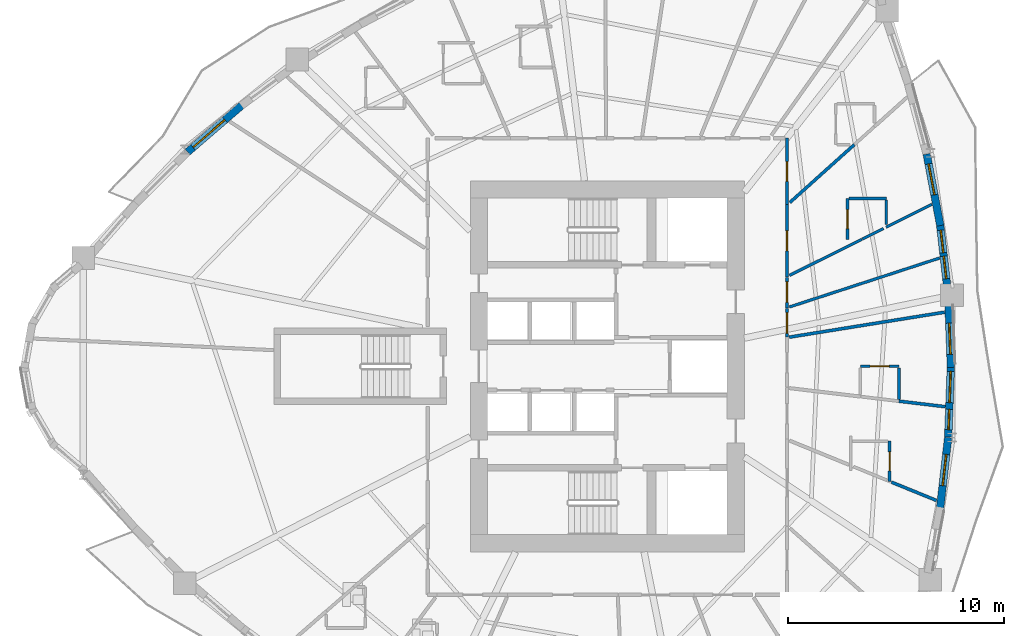
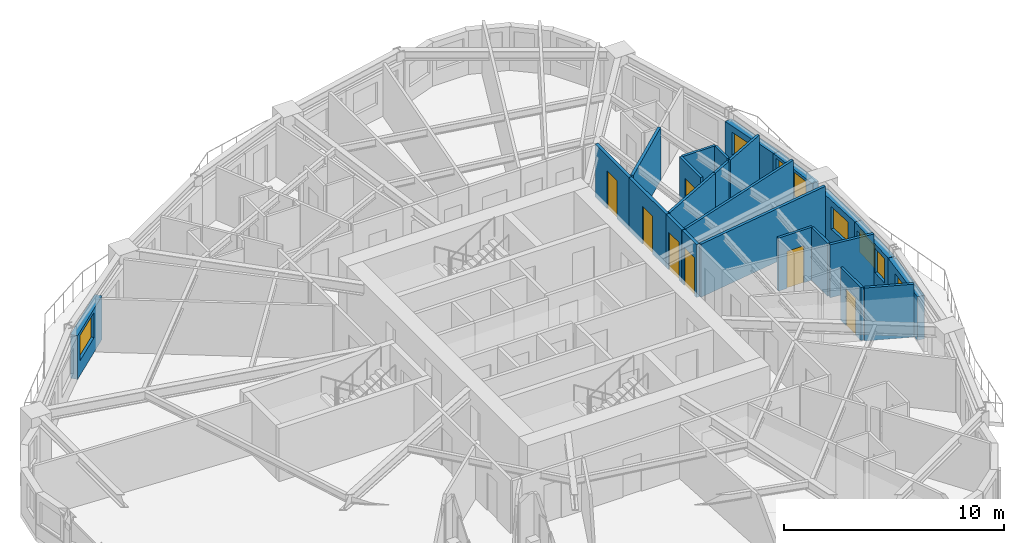
# One storey, part 7 of 14: 24 walls, 8 windows, 7 doors, 15 openings.
"""IFC4 building model written with IfcOpenShell, lengths in metres."""

from ifc_helpers import new_model, si_unit, direction, frame, frame_2d, origin, place, context, subcontext, project, spatial, rectangle, extrude, source, transform, mapped, material, layer, layer_set, type_object, element, fill, save


model = new_model("IFC4")

# Units and contexts
model_context = context("Model", 3, precision=1e-05, world=origin(), true_north=direction((0.0, 1.0)))
body_context = subcontext(model_context, "Body", "Model", "MODEL_VIEW")
ifc_project = project(units=[si_unit("LENGTHUNIT", "METRE"), si_unit("AREAUNIT", "SQUARE_METRE"), si_unit("VOLUMEUNIT", "CUBIC_METRE"), si_unit("PLANEANGLEUNIT", "RADIAN"), si_unit("MASSUNIT", "GRAM", prefix="KILO")], contexts=[model_context])

# Site, building, storey
site_placement = place(None, origin())
site = spatial("IfcSite", under=ifc_project, at=site_placement, CompositionType="ELEMENT")
building_placement = place(site_placement, origin())
building = spatial("IfcBuilding", under=site, at=building_placement, Name="Qafzar Sky-Pleat Residences", CompositionType="ELEMENT")
storey_placement = place(building_placement, frame((0.0, 0.0, 39.800048828125)))
storey = spatial("IfcBuildingStorey", under=building, at=storey_placement, Name="L11", CompositionType="ELEMENT", Elevation=39.800048828125)

# Wall, opening, door
ifc_material_1 = material(Name="Acoustic gypsum plasterboard partition", Category="gypsum")
ifc_layer_1 = layer(ifc_material_1, 0.159912109375)
ifc_layer_set_1 = layer_set([ifc_layer_1], Name="Acoustic gypsum plasterboard partition")
wall_type_1 = type_object("IfcWallType", Name="PART-COR-160", PredefinedType="PARTITIONING", material=ifc_layer_set_1)
wall_1_placement = place(storey_placement, frame((38.679931640625, 33.49609375, 0.0), z_axis=(0.0, 0.0, 1.0), x_axis=(0.0, -1.0, 0.0)))
wall_1 = element("IfcWall", 1, at=wall_1_placement, inside=storey, type_object=wall_type_1, Name="L11 Partition Wall PART-L11-PW-007", PredefinedType="PARTITIONING", context=body_context, shape_type="SweptSolid", body=[
    extrude(rectangle(XDim=3.35498046875, YDim=0.159912109375, at=frame_2d((1.677490234375, 0.0))), origin(), (0.0, 0.0, 1.0), 2.93994140625),
])
opening_1_placement = place(wall_1_placement, frame((1.218994140625, 0.0, 0.0)))
opening_1 = element("IfcOpeningElement", 2, at=opening_1_placement, cuts=wall_1, Name="Opening ID-04", PredefinedType="OPENING", context=body_context, shape_type="SweptSolid", body=[
    extrude(rectangle(XDim=0.919921875, YDim=2.10009765625, at=frame_2d((0.4599609375, 1.050048828125))), frame((0.0, 0.08984375, 0.0), z_axis=(0.0, -1.0, 0.0), x_axis=(1.0, 0.0, 0.0)), (0.0, 0.0, 1.0), 0.179931640625),
])
ifc_material_2 = material(Name="Timber-faced fire door", Category="wood")
door_type_1 = type_object("IfcDoorType", Name="DR-BED-920", OperationType="NOTDEFINED", PredefinedType="DOOR", material=ifc_material_2)
shared_shape_1 = source(origin(), body_context, "Body", "SweptSolid", [
    extrude(rectangle(XDim=0.919921875, YDim=2.10009765625, at=frame_2d((0.4599609375, 1.050048828125))), frame((0.0, 0.02490234375, 0.0), z_axis=(0.0, -1.0, 0.0), x_axis=(1.0, 0.0, 0.0)), (0.0, 0.0, 1.0), 0.050048828125),
])
door_1_placement = place(opening_1_placement, origin())
door_1 = element("IfcDoor", 3, at=door_1_placement, inside=storey, type_object=door_type_1, Name="L11 Co-Living Bedroom 8 Door", OperationType="SINGLE_SWING_LEFT", OverallHeight=2.10009765625, OverallWidth=0.919921875, PredefinedType="DOOR", context=body_context, shape_type="MappedRepresentation", body=[
    mapped(shared_shape_1, transform((0.0, 0.0, 0.0), x_axis=(1.0, 0.0, 0.0), y_axis=(0.0, 1.0, 0.0), z_axis=(0.0, 0.0, 1.0), scale=1.0)),
])
fill(opening_1, door_1)

wall_2_placement = place(storey_placement, frame((38.679931640625, 36.580078125, 0.0), z_axis=(0.0, 0.0, 1.0), x_axis=(0.0, -1.0, 0.0)))
wall_2 = element("IfcWall", 4, at=wall_2_placement, inside=storey, type_object=wall_type_1, Name="L11 Partition Wall PART-L11-PW-011", PredefinedType="PARTITIONING", context=body_context, shape_type="SweptSolid", body=[
    extrude(rectangle(XDim=3.069091796875, YDim=0.159912109375, at=frame_2d((1.53466796875, 0.0))), origin(), (0.0, 0.0, 1.0), 2.93994140625),
])
opening_2_placement = place(wall_2_placement, frame((1.092041015625, 0.0, 0.0)))
opening_2 = element("IfcOpeningElement", 5, at=opening_2_placement, cuts=wall_2, Name="Opening ID-04", PredefinedType="OPENING", context=body_context, shape_type="SweptSolid", body=[
    extrude(rectangle(XDim=0.919921875, YDim=2.10009765625, at=frame_2d((0.4599609375, 1.050048828125))), frame((0.0, 0.08984375, 0.0), z_axis=(0.0, -1.0, 0.0), x_axis=(1.0, 0.0, 0.0)), (0.0, 0.0, 1.0), 0.179931640625),
])
door_2_placement = place(opening_2_placement, origin())
door_2 = element("IfcDoor", 6, at=door_2_placement, inside=storey, type_object=door_type_1, Name="L11 Co-Living Bedroom 7 Door", OperationType="SINGLE_SWING_LEFT", OverallHeight=2.10009765625, OverallWidth=0.919921875, PredefinedType="DOOR", context=body_context, shape_type="MappedRepresentation", body=[
    mapped(shared_shape_1, transform((0.0, 0.0, 0.0), x_axis=(1.0, 0.0, 0.0), y_axis=(0.0, 1.0, 0.0), z_axis=(0.0, 0.0, 1.0), scale=1.0)),
])
fill(opening_2, door_2)

wall_3_placement = place(storey_placement, frame((38.679931640625, 30.1259765625, 0.0), z_axis=(0.0, 0.0, 1.0), x_axis=(0.0, -1.0, 0.0)))
wall_3 = element("IfcWall", 7, at=wall_3_placement, inside=storey, type_object=wall_type_1, Name="L11 Partition Wall PART-L11-PW-033", PredefinedType="PARTITIONING", context=body_context, shape_type="SweptSolid", body=[
    extrude(rectangle(XDim=1.426025390625, YDim=0.159912109375, at=frame_2d((0.712890625, 0.0))), origin(), (0.0, 0.0, 1.0), 2.93994140625),
])
opening_3_placement = place(wall_3_placement, frame((0.214111328125, 0.0, 0.0)))
opening_3 = element("IfcOpeningElement", 8, at=opening_3_placement, cuts=wall_3, Name="Opening ID-08", PredefinedType="OPENING", context=body_context, shape_type="SweptSolid", body=[
    extrude(rectangle(XDim=0.949951171875, YDim=2.10009765625, at=frame_2d((0.47509765625, 1.050048828125))), frame((0.0, 0.08984375, 0.0), z_axis=(0.0, -1.0, 0.0), x_axis=(1.0, 0.0, 0.0)), (0.0, 0.0, 1.0), 0.179931640625),
])
door_type_2 = type_object("IfcDoorType", Name="DR-AWC-950", OperationType="NOTDEFINED", PredefinedType="DOOR", material=ifc_material_2)
shared_shape_2 = source(origin(), body_context, "Body", "SweptSolid", [
    extrude(rectangle(XDim=0.949951171875, YDim=2.10009765625, at=frame_2d((0.47509765625, 1.050048828125))), frame((0.0, 0.02490234375, 0.0), z_axis=(0.0, -1.0, 0.0), x_axis=(1.0, 0.0, 0.0)), (0.0, 0.0, 1.0), 0.050048828125),
])
door_3_placement = place(opening_3_placement, origin())
door_3 = element("IfcDoor", 9, at=door_3_placement, inside=storey, type_object=door_type_2, Name="L11 Accessible Shared Washroom Door", OperationType="SINGLE_SWING_RIGHT", OverallHeight=2.10009765625, OverallWidth=0.949951171875, PredefinedType="DOOR", context=body_context, shape_type="MappedRepresentation", body=[
    mapped(shared_shape_2, transform((0.0, 0.0, 0.0), x_axis=(1.0, 0.0, 0.0), y_axis=(0.0, 1.0, 0.0), z_axis=(0.0, 0.0, 1.0), scale=1.0)),
])
fill(opening_3, door_3)

wall_4_placement = place(storey_placement, frame((38.679931640625, 28.68505859375, 0.0), z_axis=(0.0, 0.0, 1.0), x_axis=(0.0, -1.0, 0.0)))
wall_4 = element("IfcWall", 10, at=wall_4_placement, inside=storey, type_object=wall_type_1, Name="L11 Partition Wall PART-L11-PW-035", PredefinedType="PARTITIONING", context=body_context, shape_type="SweptSolid", body=[
    extrude(rectangle(XDim=1.317138671875, YDim=0.159912109375, at=frame_2d((0.65869140625, 0.0))), origin(), (0.0, 0.0, 1.0), 2.93994140625),
])
opening_4_placement = place(wall_4_placement, frame((0.1962890625, 0.0, 0.0)))
opening_4 = element("IfcOpeningElement", 11, at=opening_4_placement, cuts=wall_4, Name="Opening ID-06", PredefinedType="OPENING", context=body_context, shape_type="SweptSolid", body=[
    extrude(rectangle(XDim=0.9599609375, YDim=2.10009765625, at=frame_2d((0.47998046875, 1.050048828125))), frame((0.0, 0.08984375, 0.0), z_axis=(0.0, -1.0, 0.0), x_axis=(1.0, 0.0, 0.0)), (0.0, 0.0, 1.0), 0.179931640625),
])
door_type_3 = type_object("IfcDoorType", Name="DR-STD-960", OperationType="NOTDEFINED", PredefinedType="DOOR", material=ifc_material_2)
shared_shape_3 = source(origin(), body_context, "Body", "SweptSolid", [
    extrude(rectangle(XDim=0.9599609375, YDim=2.10009765625, at=frame_2d((0.47998046875, 1.050048828125))), frame((0.0, 0.02490234375, 0.0), z_axis=(0.0, -1.0, 0.0), x_axis=(1.0, 0.0, 0.0)), (0.0, 0.0, 1.0), 0.050048828125),
])
door_4_placement = place(opening_4_placement, origin())
door_4 = element("IfcDoor", 12, at=door_4_placement, inside=storey, type_object=door_type_3, Name="L11 Scholar Study Room Door", OperationType="SINGLE_SWING_RIGHT", OverallHeight=2.10009765625, OverallWidth=0.9599609375, PredefinedType="DOOR", context=body_context, shape_type="MappedRepresentation", body=[
    mapped(shared_shape_3, transform((0.0, 0.0, 0.0), x_axis=(1.0, 0.0, 0.0), y_axis=(0.0, 1.0, 0.0), z_axis=(0.0, 0.0, 1.0), scale=1.0)),
])
fill(opening_4, door_4)

# Walls
ifc_layer_2 = layer(ifc_material_1, 0.14501953125)
ifc_layer_set_2 = layer_set([ifc_layer_2], Name="Acoustic gypsum plasterboard partition")
wall_type_2 = type_object("IfcWallType", Name="PART-UNIT-145", PredefinedType="PARTITIONING", material=ifc_layer_set_2)
wall_5_placement = place(storey_placement, frame((38.779296875, 27.35302734375, 0.0), z_axis=(0.0, 0.0, 1.0), x_axis=(0.987345710334, 0.158582622897, 0.0)))
element("IfcWall", 13, at=wall_5_placement, inside=storey, type_object=wall_type_2, Name="L11 Partition Wall PART-L11-PW-048", PredefinedType="PARTITIONING", context=body_context, shape_type="SweptSolid", body=[
    extrude(rectangle(XDim=7.30029296875, YDim=0.14501953125, at=frame_2d((3.650146484375, 0.0))), origin(), (0.0, 0.0, 1.0), 2.93994140625),
])
wall_6_placement = place(storey_placement, frame((38.814453125, 33.5966796875, 0.0), z_axis=(0.0, 0.0, 1.0), x_axis=(0.74417856937, 0.667980730927, 0.0)))
element("IfcWall", 14, at=wall_6_placement, inside=storey, type_object=wall_type_2, Name="L11 Partition Wall PART-L11-PW-053", PredefinedType="PARTITIONING", context=body_context, shape_type="SweptSolid", body=[
    extrude(rectangle(XDim=4.005126953125, YDim=0.14501953125, at=frame_2d((2.00244140625, 0.0))), origin(), (0.0, 0.0, 1.0), 2.93994140625),
])
wall_7_placement = place(storey_placement, frame((43.516845703125, 20.636474609375, 0.0), z_axis=(0.0, 0.0, 1.0), x_axis=(0.926053250015, -0.377392869747, 0.0)))
element("IfcWall", 15, at=wall_7_placement, inside=storey, type_object=wall_type_2, Name="L11 Partition Wall PART-L11-PW-065", PredefinedType="PARTITIONING", context=body_context, shape_type="SweptSolid", body=[
    extrude(rectangle(XDim=2.26220703125, YDim=0.14501953125, at=frame_2d((1.131103515625, 0.0))), origin(), (0.0, 0.0, 1.0), 2.93994140625),
])
wall_8_placement = place(storey_placement, frame((43.861083984375, 24.387939453125, 0.0), z_axis=(0.0, 0.0, 1.0), x_axis=(0.992948573357, -0.118545901105, 0.0)))
element("IfcWall", 16, at=wall_8_placement, inside=storey, type_object=wall_type_2, Name="L11 Partition Wall PART-L11-PW-067", PredefinedType="PARTITIONING", context=body_context, shape_type="SweptSolid", body=[
    extrude(rectangle(XDim=2.168701171875, YDim=0.14501953125, at=frame_2d((1.08447265625, 0.0))), origin(), (0.0, 0.0, 1.0), 2.93994140625),
])

# Wall, opening, door
ifc_material_3 = material(Name="Moisture-resistant gypsum partition", Category="gypsum")
ifc_layer_3 = layer(ifc_material_3, 0.1298828125)
ifc_layer_set_3 = layer_set([ifc_layer_3], Name="Moisture-resistant gypsum partition")
wall_type_3 = type_object("IfcWallType", Name="PART-WET-130", PredefinedType="PARTITIONING", material=ifc_layer_set_3)
wall_9_placement = place(storey_placement, frame((41.48193359375, 33.777099609375, 0.0), z_axis=(0.0, 0.0, 1.0), x_axis=(0.0, -1.0, 0.0)))
wall_9 = element("IfcWall", 17, at=wall_9_placement, inside=storey, type_object=wall_type_3, Name="L11 Partition Wall PART-L11-PW-020", PredefinedType="PARTITIONING", context=body_context, shape_type="SweptSolid", body=[
    extrude(rectangle(XDim=1.900146484375, YDim=0.1298828125, at=frame_2d((0.9501953125, 0.0))), origin(), (0.0, 0.0, 1.0), 2.93994140625),
])
opening_5_placement = place(wall_9_placement, frame((0.510009765625, 0.0, 0.0)))
opening_5 = element("IfcOpeningElement", 18, at=opening_5_placement, cuts=wall_9, Name="Opening ID-07", PredefinedType="OPENING", context=body_context, shape_type="SweptSolid", body=[
    extrude(rectangle(XDim=0.8798828125, YDim=2.050048828125, at=frame_2d((0.43994140625, 1.02490234375))), frame((0.0, 0.074951171875, 0.0), z_axis=(0.0, -1.0, 0.0), x_axis=(1.0, 0.0, 0.0)), (0.0, 0.0, 1.0), 0.14990234375),
])
door_type_4 = type_object("IfcDoorType", Name="DR-WET-880", OperationType="NOTDEFINED", PredefinedType="DOOR", material=ifc_material_2)
shared_shape_4 = source(origin(), body_context, "Body", "SweptSolid", [
    extrude(rectangle(XDim=0.8798828125, YDim=2.050048828125, at=frame_2d((0.43994140625, 1.02490234375))), frame((0.0, 0.02490234375, 0.0), z_axis=(0.0, -1.0, 0.0), x_axis=(1.0, 0.0, 0.0)), (0.0, 0.0, 1.0), 0.050048828125),
])
door_5_placement = place(opening_5_placement, origin())
door_5 = element("IfcDoor", 19, at=door_5_placement, inside=storey, type_object=door_type_4, Name="L11 En-suite Bathroom 8 Door", OperationType="SINGLE_SWING_LEFT", OverallHeight=2.050048828125, OverallWidth=0.8798828125, PredefinedType="DOOR", context=body_context, shape_type="MappedRepresentation", body=[
    mapped(shared_shape_4, transform((0.0, 0.0, 0.0), x_axis=(1.0, 0.0, 0.0), y_axis=(0.0, 1.0, 0.0), z_axis=(0.0, 0.0, 1.0), scale=1.0)),
])
fill(opening_5, door_5)

wall_10_placement = place(storey_placement, frame((43.431884765625, 20.6708984375, 0.0), z_axis=(0.0, 0.0, 1.0), x_axis=(0.0, 1.0, 0.0)))
wall_10 = element("IfcWall", 20, at=wall_10_placement, inside=storey, type_object=wall_type_3, Name="L11 Partition Wall PART-L11-PW-028", PredefinedType="PARTITIONING", context=body_context, shape_type="SweptSolid", body=[
    extrude(rectangle(XDim=1.859130859375, YDim=0.1298828125, at=frame_2d((0.9296875, 0.0))), origin(), (0.0, 0.0, 1.0), 2.93994140625),
])
opening_6_placement = place(wall_10_placement, frame((0.489501953125, 0.0, 0.0)))
opening_6 = element("IfcOpeningElement", 21, at=opening_6_placement, cuts=wall_10, Name="Opening ID-07", PredefinedType="OPENING", context=body_context, shape_type="SweptSolid", body=[
    extrude(rectangle(XDim=0.8798828125, YDim=2.050048828125, at=frame_2d((0.43994140625, 1.02490234375))), frame((0.0, 0.074951171875, 0.0), z_axis=(0.0, -1.0, 0.0), x_axis=(1.0, 0.0, 0.0)), (0.0, 0.0, 1.0), 0.14990234375),
])
door_6_placement = place(opening_6_placement, origin())
door_6 = element("IfcDoor", 22, at=door_6_placement, inside=storey, type_object=door_type_4, Name="L11 En-suite Bathroom 5 Door", OperationType="SINGLE_SWING_LEFT", OverallHeight=2.050048828125, OverallWidth=0.8798828125, PredefinedType="DOOR", context=body_context, shape_type="MappedRepresentation", body=[
    mapped(shared_shape_4, transform((0.0, 0.0, 0.0), x_axis=(1.0, 0.0, 0.0), y_axis=(0.0, 1.0, 0.0), z_axis=(0.0, 0.0, 1.0), scale=1.0)),
])
fill(opening_6, door_6)

wall_11_placement = place(storey_placement, frame((43.8759765625, 26.008056640625, 0.0), z_axis=(0.0, 0.0, 1.0), x_axis=(-1.0, 0.0, 0.0)))
wall_11 = element("IfcWall", 23, at=wall_11_placement, inside=storey, type_object=wall_type_3, Name="L11 Partition Wall PART-L11-PW-031", PredefinedType="PARTITIONING", context=body_context, shape_type="SweptSolid", body=[
    extrude(rectangle(XDim=1.800048828125, YDim=0.1298828125, at=frame_2d((0.89990234375, 0.0))), origin(), (0.0, 0.0, 1.0), 2.93994140625),
])
opening_7_placement = place(wall_11_placement, frame((0.4599609375, 0.0, 0.0)))
opening_7 = element("IfcOpeningElement", 24, at=opening_7_placement, cuts=wall_11, Name="Opening ID-07", PredefinedType="OPENING", context=body_context, shape_type="SweptSolid", body=[
    extrude(rectangle(XDim=0.8798828125, YDim=2.050048828125, at=frame_2d((0.43994140625, 1.02490234375))), frame((0.0, 0.074951171875, 0.0), z_axis=(0.0, -1.0, 0.0), x_axis=(1.0, 0.0, 0.0)), (0.0, 0.0, 1.0), 0.14990234375),
])
door_7_placement = place(opening_7_placement, origin())
door_7 = element("IfcDoor", 25, at=door_7_placement, inside=storey, type_object=door_type_4, Name="L11 En-suite Bathroom 6 Door", OperationType="SINGLE_SWING_RIGHT", OverallHeight=2.050048828125, OverallWidth=0.8798828125, PredefinedType="DOOR", context=body_context, shape_type="MappedRepresentation", body=[
    mapped(shared_shape_4, transform((0.0, 0.0, 0.0), x_axis=(1.0, 0.0, 0.0), y_axis=(0.0, 1.0, 0.0), z_axis=(0.0, 0.0, 1.0), scale=1.0)),
])
fill(opening_7, door_7)

# Walls
wall_12_placement = place(storey_placement, frame((38.787841796875, 28.751220703125, 0.0), z_axis=(0.0, 0.0, 1.0), x_axis=(0.95075822996, 0.309933522169, 0.0)))
element("IfcWall", 26, at=wall_12_placement, inside=storey, type_object=wall_type_3, Name="L11 Partition Wall PART-L11-PW-047", PredefinedType="PARTITIONING", context=body_context, shape_type="SweptSolid", body=[
    extrude(rectangle(XDim=7.327392578125, YDim=0.1298828125, at=frame_2d((3.66357421875, 0.0))), origin(), (0.0, 0.0, 1.0), 2.93994140625),
])
wall_13_placement = place(storey_placement, frame((38.796142578125, 30.216064453125, 0.0), z_axis=(0.0, 0.0, 1.0), x_axis=(0.894739227469, 0.446588977503, 0.0)))
element("IfcWall", 27, at=wall_13_placement, inside=storey, type_object=wall_type_3, Name="L11 Partition Wall PART-L11-PW-054", PredefinedType="PARTITIONING", context=body_context, shape_type="SweptSolid", body=[
    extrude(rectangle(XDim=3.7529296875, YDim=0.1298828125, at=frame_2d((1.87646484375, 0.0))), origin(), (0.0, 0.0, 1.0), 2.93994140625),
])
wall_14_placement = place(storey_placement, frame((43.26708984375, 32.447998046875, 0.0), z_axis=(0.0, 0.0, 1.0), x_axis=(0.894755827923, 0.446555717014, 0.0)))
element("IfcWall", 28, at=wall_14_placement, inside=storey, type_object=wall_type_3, Name="L11 Partition Wall PART-L11-PW-064", PredefinedType="PARTITIONING", context=body_context, shape_type="SweptSolid", body=[
    extrude(rectangle(XDim=2.37548828125, YDim=0.1298828125, at=frame_2d((1.187744140625, 0.0))), origin(), (0.0, 0.0, 1.0), 2.93994140625),
])
wall_15_placement = place(storey_placement, frame((41.554931640625, 33.777099609375, 0.0), z_axis=(0.0, 0.0, 1.0), x_axis=(1.0, 0.0, 0.0)))
element("IfcWall", 29, at=wall_15_placement, inside=storey, type_object=wall_type_3, Name="L11 Partition Wall PART-L11-PW-081", PredefinedType="PARTITIONING", context=body_context, shape_type="SweptSolid", body=[
    extrude(rectangle(XDim=1.72705078125, YDim=0.1298828125, at=frame_2d((0.863525390625, 0.0))), origin(), (0.0, 0.0, 1.0), 2.93994140625),
])
wall_16_placement = place(storey_placement, frame((43.8759765625, 24.474853515625, 0.0), z_axis=(0.0, 0.0, 1.0), x_axis=(0.0, 1.0, 0.0)))
element("IfcWall", 30, at=wall_16_placement, inside=storey, type_object=wall_type_3, Name="L11 Partition Wall PART-L11-PW-086", PredefinedType="PARTITIONING", context=body_context, shape_type="SweptSolid", body=[
    extrude(rectangle(XDim=1.460205078125, YDim=0.1298828125, at=frame_2d((0.72998046875, 0.0))), origin(), (0.0, 0.0, 1.0), 2.93994140625),
])
wall_17_placement = place(storey_placement, frame((43.281982421875, 32.568115234375, 0.0), z_axis=(0.0, 0.0, 1.0), x_axis=(0.0, 1.0, 0.0)))
element("IfcWall", 31, at=wall_17_placement, inside=storey, type_object=wall_type_3, Name="L11 Partition Wall PART-L11-PW-092", PredefinedType="PARTITIONING", context=body_context, shape_type="SweptSolid", body=[
    extrude(rectangle(XDim=1.135986328125, YDim=0.1298828125, at=frame_2d((0.56787109375, 0.0))), origin(), (0.0, 0.0, 1.0), 2.93994140625),
])
wall_18_placement = place(storey_placement, frame((42.16748046875, 31.898681640625, 0.0), z_axis=(0.0, 0.0, 1.0), x_axis=(0.894604533516, 0.446858734515, 0.0)))
element("IfcWall", 32, at=wall_18_placement, inside=storey, type_object=wall_type_3, Name="L11 Partition Wall PART-L11-PW-096", PredefinedType="PARTITIONING", context=body_context, shape_type="SweptSolid", body=[
    extrude(rectangle(XDim=1.100830078125, YDim=0.1298828125, at=frame_2d((0.55029296875, 0.0))), origin(), (0.0, 0.0, 1.0), 2.93994140625),
])

# Wall, opening, window
ifc_material_4 = material(Name="Precast concrete C40/50 with honed Riyadh limestone", Category="concrete")
ifc_layer_4 = layer(ifc_material_4, 0.35009765625)
ifc_layer_set_4 = layer_set([ifc_layer_4], Name="Precast concrete C40/50 with honed Riyadh limestone")
wall_type_4 = type_object("IfcWallType", Name="WALL-EXT-350", PredefinedType="SOLIDWALL", material=ifc_layer_set_4)
wall_19_placement = place(storey_placement, frame((45.770263671875, 19.38818359375, 0.0), z_axis=(0.0, 0.0, 1.0), x_axis=(0.113282408476, 0.993562829382, 0.0)))
wall_19 = element("IfcWall", 33, at=wall_19_placement, inside=storey, type_object=wall_type_4, Name="L11 Limestone Facade Wall 26", PredefinedType="SOLIDWALL", context=body_context, shape_type="SweptSolid", body=[
    extrude(rectangle(XDim=3.336181640625, YDim=0.35009765625, at=frame_2d((1.66796875, 0.0))), origin(), (0.0, 0.0, 1.0), 2.419921875),
])
opening_8_placement = place(wall_19_placement, frame((1.09521484375, 0.0, 0.820068359375)))
opening_8 = element("IfcOpeningElement", 34, at=opening_8_placement, cuts=wall_19, Name="Opening WN-15", PredefinedType="OPENING", context=body_context, shape_type="SweptSolid", body=[
    extrude(rectangle(XDim=1.449951171875, YDim=1.25, at=frame_2d((0.72509765625, 0.625))), frame((0.0, 0.18505859375, 0.0), z_axis=(0.0, -1.0, 0.0), x_axis=(1.0, 0.0, 0.0)), (0.0, 0.0, 1.0), 0.3701171875),
])
ifc_material_5 = material(Name="Solar-control low-E glass in bronze aluminium frame", Category="glass")
window_type_1 = type_object("IfcWindowType", Name="WIN-15", PartitioningType="SINGLE_PANEL", PredefinedType="WINDOW", material=ifc_material_5)
shared_shape_5 = source(origin(), body_context, "Body", "SweptSolid", [
    extrude(rectangle(XDim=1.449951171875, YDim=1.25, at=frame_2d((0.72509765625, 0.625))), frame((0.0, 0.030029296875, 0.0), z_axis=(0.0, -1.0, 0.0), x_axis=(1.0, 0.0, 0.0)), (0.0, 0.0, 1.0), 0.06005859375),
])
window_1_placement = place(opening_8_placement, origin())
window_1 = element("IfcWindow", 35, at=window_1_placement, inside=storey, type_object=window_type_1, Name="L11 Punched Facade Window 26", OverallHeight=1.25, OverallWidth=1.449951171875, PartitioningType="SINGLE_PANEL", PredefinedType="WINDOW", context=body_context, shape_type="MappedRepresentation", body=[
    mapped(shared_shape_5, transform((0.0, 0.0, 0.0), x_axis=(1.0, 0.0, 0.0), y_axis=(0.0, 1.0, 0.0), z_axis=(0.0, 0.0, 1.0), scale=1.0)),
])
fill(opening_8, window_1)

# Wall, openings, windows
wall_20_placement = place(storey_placement, frame((46.150146484375, 22.7294921875, 0.0), z_axis=(0.0, 0.0, 1.0), x_axis=(0.03797244671, 0.999278786571, 0.0)))
wall_20 = element("IfcWall", 36, at=wall_20_placement, inside=storey, type_object=wall_type_4, Name="L11 Limestone Facade Wall 27", PredefinedType="SOLIDWALL", context=body_context, shape_type="SweptSolid", body=[
    extrude(rectangle(XDim=3.317626953125, YDim=0.35009765625, at=frame_2d((1.65869140625, 0.0))), origin(), (0.0, 0.0, 1.0), 2.419921875),
])
opening_9_placement = place(wall_20_placement, frame((0.33154296875, 0.0, 0.820068359375)))
opening_9 = element("IfcOpeningElement", 37, at=opening_9_placement, cuts=wall_20, Name="Opening WN-12", PredefinedType="OPENING", context=body_context, shape_type="SweptSolid", body=[
    extrude(rectangle(XDim=0.949951171875, YDim=1.35009765625, at=frame_2d((0.47509765625, 0.675048828125))), frame((0.0, 0.18505859375, 0.0), z_axis=(0.0, -1.0, 0.0), x_axis=(1.0, 0.0, 0.0)), (0.0, 0.0, 1.0), 0.3701171875),
])
opening_10_placement = place(wall_20_placement, frame((1.59033203125, 0.0, 0.820068359375)))
opening_10 = element("IfcOpeningElement", 38, at=opening_10_placement, cuts=wall_20, Name="Opening WN-15", PredefinedType="OPENING", context=body_context, shape_type="SweptSolid", body=[
    extrude(rectangle(XDim=1.449951171875, YDim=1.25, at=frame_2d((0.72509765625, 0.625))), frame((0.0, 0.18505859375, 0.0), z_axis=(0.0, -1.0, 0.0), x_axis=(1.0, 0.0, 0.0)), (0.0, 0.0, 1.0), 0.3701171875),
])
window_type_2 = type_object("IfcWindowType", Name="WIN-12", PartitioningType="SINGLE_PANEL", PredefinedType="WINDOW", material=ifc_material_5)
shared_shape_6 = source(origin(), body_context, "Body", "SweptSolid", [
    extrude(rectangle(XDim=0.949951171875, YDim=1.35009765625, at=frame_2d((0.47509765625, 0.675048828125))), frame((0.0, 0.030029296875, 0.0), z_axis=(0.0, -1.0, 0.0), x_axis=(1.0, 0.0, 0.0)), (0.0, 0.0, 1.0), 0.06005859375),
])
window_2_placement = place(opening_9_placement, origin())
window_2 = element("IfcWindow", 39, at=window_2_placement, inside=storey, type_object=window_type_2, Name="L11 Punched Facade Window 27", OverallHeight=1.35009765625, OverallWidth=0.949951171875, PartitioningType="SINGLE_PANEL", PredefinedType="WINDOW", context=body_context, shape_type="MappedRepresentation", body=[
    mapped(shared_shape_6, transform((0.0, 0.0, 0.0), x_axis=(1.0, 0.0, 0.0), y_axis=(0.0, 1.0, 0.0), z_axis=(0.0, 0.0, 1.0), scale=1.0)),
])
fill(opening_9, window_2)
window_3_placement = place(opening_10_placement, origin())
window_3 = element("IfcWindow", 40, at=window_3_placement, inside=storey, type_object=window_type_1, Name="L11 Punched Facade Window 27-2", OverallHeight=1.25, OverallWidth=1.449951171875, PartitioningType="SINGLE_PANEL", PredefinedType="WINDOW", context=body_context, shape_type="MappedRepresentation", body=[
    mapped(shared_shape_5, transform((0.0, 0.0, 0.0), x_axis=(1.0, 0.0, 0.0), y_axis=(0.0, 1.0, 0.0), z_axis=(0.0, 0.0, 1.0), scale=1.0)),
])
fill(opening_10, window_3)

# Wall, opening, window
wall_21_placement = place(storey_placement, frame((46.276123046875, 25.955322265625, 0.0), z_axis=(0.0, 0.0, 1.0), x_axis=(-0.037939203929, 0.999280049238, 0.0)))
wall_21 = element("IfcWall", 41, at=wall_21_placement, inside=storey, type_object=wall_type_4, Name="L11 Limestone Facade Wall 28", PredefinedType="SOLIDWALL", context=body_context, shape_type="SweptSolid", body=[
    extrude(rectangle(XDim=3.037353515625, YDim=0.35009765625, at=frame_2d((1.5185546875, 0.0))), origin(), (0.0, 0.0, 1.0), 2.419921875),
])
opening_11_placement = place(wall_21_placement, frame((0.598876953125, 0.0, 0.820068359375)))
opening_11 = element("IfcOpeningElement", 42, at=opening_11_placement, cuts=wall_21, Name="Opening WN-15", PredefinedType="OPENING", context=body_context, shape_type="SweptSolid", body=[
    extrude(rectangle(XDim=1.449951171875, YDim=1.25, at=frame_2d((0.72509765625, 0.625))), frame((0.0, 0.18505859375, 0.0), z_axis=(0.0, -1.0, 0.0), x_axis=(1.0, 0.0, 0.0)), (0.0, 0.0, 1.0), 0.3701171875),
])
window_4_placement = place(opening_11_placement, origin())
window_4 = element("IfcWindow", 43, at=window_4_placement, inside=storey, type_object=window_type_1, Name="L11 Punched Facade Window 28", OverallHeight=1.25, OverallWidth=1.449951171875, PartitioningType="SINGLE_PANEL", PredefinedType="WINDOW", context=body_context, shape_type="MappedRepresentation", body=[
    mapped(shared_shape_5, transform((0.0, 0.0, 0.0), x_axis=(1.0, 0.0, 0.0), y_axis=(0.0, 1.0, 0.0), z_axis=(0.0, 0.0, 1.0), scale=1.0)),
])
fill(opening_11, window_4)

# Wall, openings, windows
wall_22_placement = place(storey_placement, frame((46.116455078125, 29.5751953125, 0.0), z_axis=(0.0, 0.0, 1.0), x_axis=(-0.113271733229, 0.993564046477, 0.0)))
wall_22 = element("IfcWall", 44, at=wall_22_placement, inside=storey, type_object=wall_type_4, Name="L11 Limestone Facade Wall 29", PredefinedType="SOLIDWALL", context=body_context, shape_type="SweptSolid", body=[
    extrude(rectangle(XDim=3.056396484375, YDim=0.35009765625, at=frame_2d((1.5283203125, 0.0))), origin(), (0.0, 0.0, 1.0), 2.419921875),
])
opening_12_placement = place(wall_22_placement, frame((0.492431640625, 0.0, 0.820068359375)))
opening_12 = element("IfcOpeningElement", 45, at=opening_12_placement, cuts=wall_22, Name="Opening WN-06", PredefinedType="OPENING", context=body_context, shape_type="SweptSolid", body=[
    extrude(rectangle(XDim=1.050048828125, YDim=1.449951171875, at=frame_2d((0.52490234375, 0.72509765625))), frame((0.0, 0.18505859375, 0.0), z_axis=(0.0, -1.0, 0.0), x_axis=(1.0, 0.0, 0.0)), (0.0, 0.0, 1.0), 0.3701171875),
])
opening_13_placement = place(wall_22_placement, frame((1.70556640625, 0.0, 0.820068359375)))
opening_13 = element("IfcOpeningElement", 46, at=opening_13_placement, cuts=wall_22, Name="Opening WN-06", PredefinedType="OPENING", context=body_context, shape_type="SweptSolid", body=[
    extrude(rectangle(XDim=1.050048828125, YDim=1.449951171875, at=frame_2d((0.52490234375, 0.72509765625))), frame((0.0, 0.18505859375, 0.0), z_axis=(0.0, -1.0, 0.0), x_axis=(1.0, 0.0, 0.0)), (0.0, 0.0, 1.0), 0.3701171875),
])
window_type_3 = type_object("IfcWindowType", Name="WIN-06", PartitioningType="SINGLE_PANEL", PredefinedType="WINDOW", material=ifc_material_5)
shared_shape_7 = source(origin(), body_context, "Body", "SweptSolid", [
    extrude(rectangle(XDim=1.050048828125, YDim=1.449951171875, at=frame_2d((0.52490234375, 0.72509765625))), frame((0.0, 0.030029296875, 0.0), z_axis=(0.0, -1.0, 0.0), x_axis=(1.0, 0.0, 0.0)), (0.0, 0.0, 1.0), 0.06005859375),
])
window_5_placement = place(opening_12_placement, origin())
window_5 = element("IfcWindow", 47, at=window_5_placement, inside=storey, type_object=window_type_3, Name="L11 Punched Facade Window 29", OverallHeight=1.449951171875, OverallWidth=1.050048828125, PartitioningType="SINGLE_PANEL", PredefinedType="WINDOW", context=body_context, shape_type="MappedRepresentation", body=[
    mapped(shared_shape_7, transform((0.0, 0.0, 0.0), x_axis=(1.0, 0.0, 0.0), y_axis=(0.0, 1.0, 0.0), z_axis=(0.0, 0.0, 1.0), scale=1.0)),
])
fill(opening_12, window_5)
window_6_placement = place(opening_13_placement, origin())
window_6 = element("IfcWindow", 48, at=window_6_placement, inside=storey, type_object=window_type_3, Name="L11 Punched Facade Window 29-2", OverallHeight=1.449951171875, OverallWidth=1.050048828125, PartitioningType="SINGLE_PANEL", PredefinedType="WINDOW", context=body_context, shape_type="MappedRepresentation", body=[
    mapped(shared_shape_7, transform((0.0, 0.0, 0.0), x_axis=(1.0, 0.0, 0.0), y_axis=(0.0, 1.0, 0.0), z_axis=(0.0, 0.0, 1.0), scale=1.0)),
])
fill(opening_13, window_6)

# Wall, opening, window
wall_23_placement = place(storey_placement, frame((45.78369140625, 32.52392578125, 0.0), z_axis=(0.0, 0.0, 1.0), x_axis=(-0.186686485801, 0.982419541754, 0.0)))
wall_23 = element("IfcWall", 49, at=wall_23_placement, inside=storey, type_object=wall_type_4, Name="L11 Limestone Facade Wall 30", PredefinedType="SOLIDWALL", context=body_context, shape_type="SweptSolid", body=[
    extrude(rectangle(XDim=3.3740234375, YDim=0.35009765625, at=frame_2d((1.68701171875, 0.0))), origin(), (0.0, 0.0, 1.0), 2.419921875),
])
opening_14_placement = place(wall_23_placement, frame((1.457275390625, 0.0, 0.820068359375)))
opening_14 = element("IfcOpeningElement", 50, at=opening_14_placement, cuts=wall_23, Name="Opening WN-15", PredefinedType="OPENING", context=body_context, shape_type="SweptSolid", body=[
    extrude(rectangle(XDim=1.449951171875, YDim=1.25, at=frame_2d((0.72509765625, 0.625))), frame((0.0, 0.18505859375, 0.0), z_axis=(0.0, -1.0, 0.0), x_axis=(1.0, 0.0, 0.0)), (0.0, 0.0, 1.0), 0.3701171875),
])
window_7_placement = place(opening_14_placement, origin())
window_7 = element("IfcWindow", 51, at=window_7_placement, inside=storey, type_object=window_type_1, Name="L11 Punched Facade Window 30-2", OverallHeight=1.25, OverallWidth=1.449951171875, PartitioningType="SINGLE_PANEL", PredefinedType="WINDOW", context=body_context, shape_type="MappedRepresentation", body=[
    mapped(shared_shape_5, transform((0.0, 0.0, 0.0), x_axis=(1.0, 0.0, 0.0), y_axis=(0.0, 1.0, 0.0), z_axis=(0.0, 0.0, 1.0), scale=1.0)),
])
fill(opening_14, window_7)

wall_24_placement = place(storey_placement, frame((13.458251953125, 38.13916015625, 0.0), z_axis=(0.0, 0.0, 1.0), x_axis=(-0.757450680395, -0.652892385289, 0.0)))
wall_24 = element("IfcWall", 52, at=wall_24_placement, inside=storey, type_object=wall_type_4, Name="L11 Limestone Facade Wall 46", PredefinedType="SOLIDWALL", context=body_context, shape_type="SweptSolid", body=[
    extrude(rectangle(XDim=3.3740234375, YDim=0.35009765625, at=frame_2d((1.68701171875, 0.0))), origin(), (0.0, 0.0, 1.0), 2.419921875),
])
opening_15_placement = place(wall_24_placement, frame((1.0966796875, 0.0, 0.820068359375)))
opening_15 = element("IfcOpeningElement", 53, at=opening_15_placement, cuts=wall_24, Name="Opening WN-08", PredefinedType="OPENING", context=body_context, shape_type="SweptSolid", body=[
    extrude(rectangle(XDim=1.949951171875, YDim=1.39990234375, at=frame_2d((0.97509765625, 0.699951171875))), frame((0.0, 0.18505859375, 0.0), z_axis=(0.0, -1.0, 0.0), x_axis=(1.0, 0.0, 0.0)), (0.0, 0.0, 1.0), 0.3701171875),
])
window_type_4 = type_object("IfcWindowType", Name="WIN-08", PartitioningType="DOUBLE_PANEL_VERTICAL", PredefinedType="WINDOW", material=ifc_material_5)
shared_shape_8 = source(origin(), body_context, "Body", "SweptSolid", [
    extrude(rectangle(XDim=1.949951171875, YDim=1.39990234375, at=frame_2d((0.97509765625, 0.699951171875))), frame((0.0, 0.030029296875, 0.0), z_axis=(0.0, -1.0, 0.0), x_axis=(1.0, 0.0, 0.0)), (0.0, 0.0, 1.0), 0.06005859375),
])
window_8_placement = place(opening_15_placement, origin())
window_8 = element("IfcWindow", 54, at=window_8_placement, inside=storey, type_object=window_type_4, Name="L11 Punched Facade Window 46-2", OverallHeight=1.39990234375, OverallWidth=1.949951171875, PartitioningType="SINGLE_PANEL", PredefinedType="WINDOW", context=body_context, shape_type="MappedRepresentation", body=[
    mapped(shared_shape_8, transform((0.0, 0.0, 0.0), x_axis=(1.0, 0.0, 0.0), y_axis=(0.0, 1.0, 0.0), z_axis=(0.0, 0.0, 1.0), scale=1.0)),
])
fill(opening_15, window_8)

save(model, "model.ifc")
